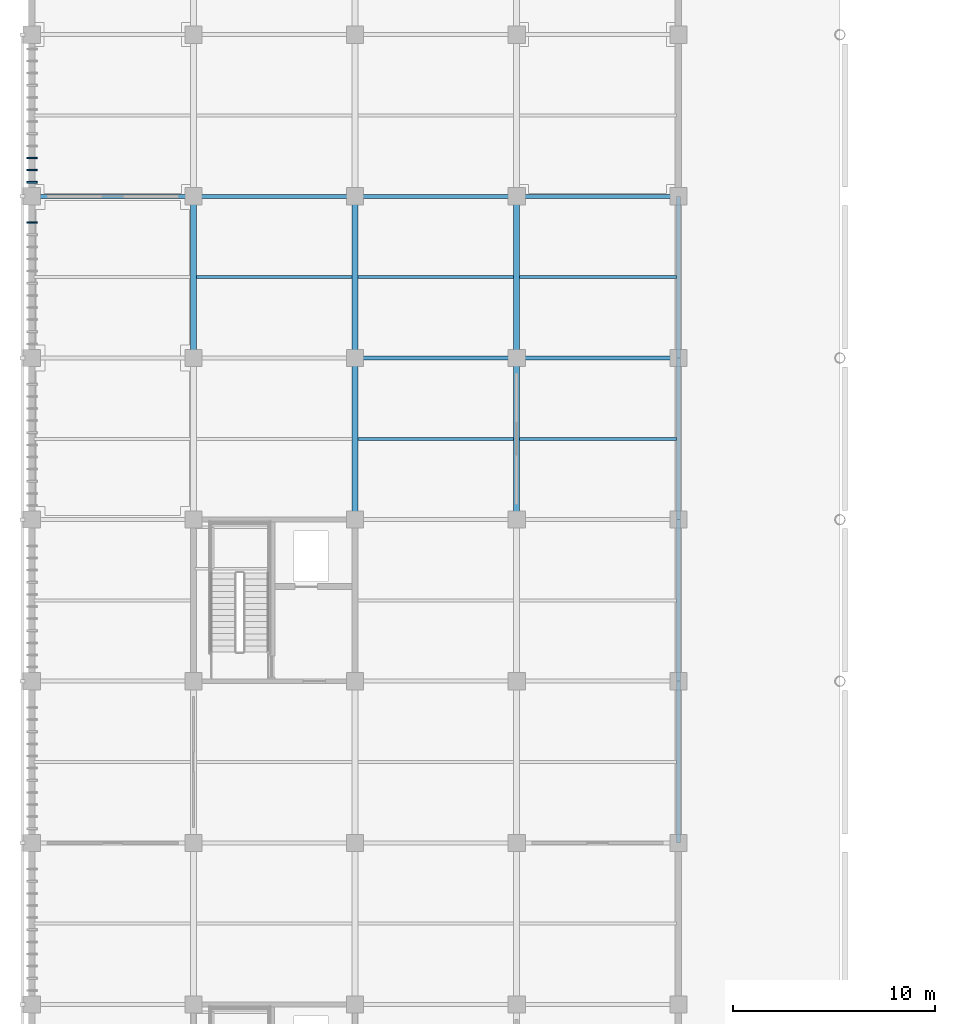
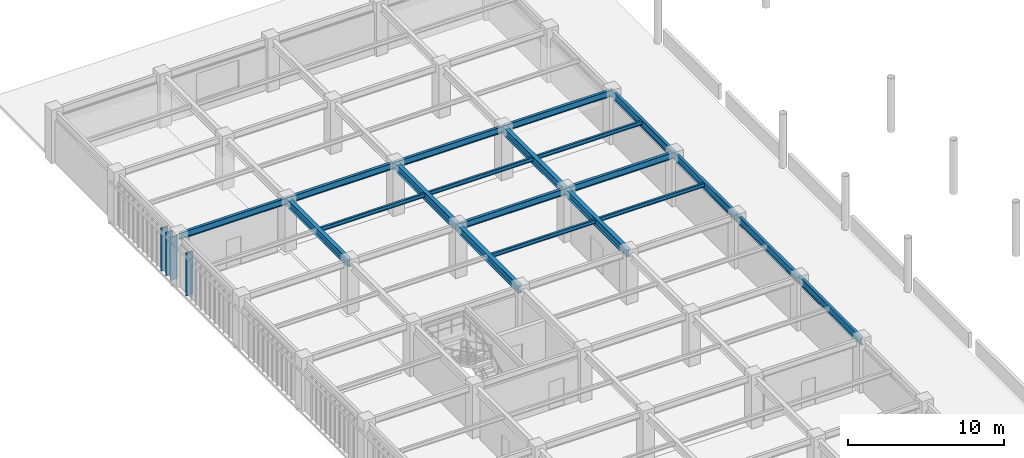
# One storey, part 28 of 78: 20 beams, 4 members.
"""IFC4 building model written with IfcOpenShell, lengths in metres."""

import ifcopenshell
import ifcopenshell.guid

model = None  # the IFC model being written
_history = None  # IfcOwnerHistory: only IFC2X3 demands one
_inside = {}  # id of a spatial element -> (the spatial element, [elements in it])
_under = {}  # id of a project, library or spatial element -> (it, [spatial elements below it])
_declared = {}  # id of a project -> (the project, [libraries it declares])
_typed = {}  # id of a type object -> (the type object, [elements of that type])
_made_of = {}  # id of a material, layer set ... -> (it, [elements and type objects made of it])


def new_model(schema):
    """Start an empty IFC model of exactly this schema.

    Asked for "IFC4X3", IfcOpenShell would pick the latest addendum, in which some entities
    have other attributes; the version numbers below select the first issue.
    IFC2X3 requires an IfcOwnerHistory on every rooted entity: one is made here for all.
    """
    global model, _history
    if schema == "IFC4X3":
        model = ifcopenshell.file(schema_version=(4, 3, 0, 0))
    else:
        model = ifcopenshell.file(schema=schema)
    _inside.clear()
    _under.clear()
    _declared.clear()
    _typed.clear()
    _made_of.clear()
    _history = None
    if model.schema == "IFC2X3":
        org = make("IfcOrganization", Name="unknown")
        user = make(
            "IfcPersonAndOrganization",
            ThePerson=make("IfcPerson", FamilyName="unknown"),
            TheOrganization=org,
        )
        app = make(
            "IfcApplication",
            ApplicationDeveloper=org,
            Version="unknown",
            ApplicationFullName="unknown",
            ApplicationIdentifier="unknown",
        )
        _history = make(
            "IfcOwnerHistory",
            OwningUser=user,
            OwningApplication=app,
            ChangeAction="ADDED",
            CreationDate=0,
        )
    return model


def make(cls, **values):
    """One entity of the class cls with the attributes given. An attribute that is None is left unset."""
    return model.create_entity(
        cls, **{name: value for name, value in values.items() if value is not None}
    )


def rooted(cls, **values):
    """An entity with a GlobalId (a new one), such as an element, a storey or a relation."""
    return make(cls, GlobalId=ifcopenshell.guid.new(), OwnerHistory=_history, **values)


def si_unit(unit_type, name, prefix=None):
    """IfcSIUnit, for example si_unit("LENGTHUNIT", "METRE", prefix="MILLI")."""
    return make("IfcSIUnit", UnitType=unit_type, Prefix=prefix, Name=name)


def assignment(units):
    """IfcUnitAssignment: the units of a project."""
    return None if units is None else make("IfcUnitAssignment", Units=units)


def point(xyz):
    """IfcCartesianPoint."""
    return None if xyz is None else make("IfcCartesianPoint", Coordinates=xyz)


def direction(xyz):
    """IfcDirection."""
    return None if xyz is None else make("IfcDirection", DirectionRatios=xyz)


def frame(location, z_axis=None, x_axis=None):
    """IfcAxis2Placement3D, a coordinate frame: its origin and axes. An axis left out is left unset."""
    return make(
        "IfcAxis2Placement3D",
        Location=point(location),
        Axis=direction(z_axis),
        RefDirection=direction(x_axis),
    )


def frame_2d(location, x_axis=None):
    """IfcAxis2Placement2D, a coordinate frame in the plane: its origin and x axis."""
    return make(
        "IfcAxis2Placement2D", Location=point(location), RefDirection=direction(x_axis)
    )


def origin():
    """The frame at (0, 0, 0) with its axes left unset."""
    return frame((0.0, 0.0, 0.0))


def origin_2d():
    """The frame at (0, 0) in the plane with its x axis left unset."""
    return frame_2d((0.0, 0.0))


def place(relative_to, where):
    """IfcLocalPlacement: puts the frame where relative to a parent placement (None: the world)."""
    return make(
        "IfcLocalPlacement", PlacementRelTo=relative_to, RelativePlacement=where
    )


def context(
    kind, dimensions, precision=None, world=None, true_north=None, identifier=None
):
    """IfcGeometricRepresentationContext, for example the 3D "Model" context."""
    return make(
        "IfcGeometricRepresentationContext",
        ContextIdentifier=identifier,
        ContextType=kind,
        CoordinateSpaceDimension=dimensions,
        Precision=precision,
        WorldCoordinateSystem=world,
        TrueNorth=true_north,
    )


def subcontext(parent, identifier, kind, view, scale=None):
    """IfcGeometricRepresentationSubContext, for example "Body" below "Model"."""
    return make(
        "IfcGeometricRepresentationSubContext",
        ContextIdentifier=identifier,
        ContextType=kind,
        ParentContext=parent,
        TargetScale=scale,
        TargetView=view,
    )


def project(units=None, contexts=None):
    """IfcProject with its units and contexts."""
    return rooted(
        "IfcProject",
        Name="project",
        RepresentationContexts=contexts,
        UnitsInContext=assignment(units),
    )


def spatial(cls, under=None, at=None, **own):
    """A site, building, storey or space (cls), placed at a placement, below another one or the project."""
    s = rooted(cls, ObjectPlacement=at, **own)
    if under is not None:
        _under.setdefault(under.id(), (under, []))[1].append(s)
    return s


def profile(cls, at=None, kind="AREA", **sizes):
    """A parametric profile (cls). Its sizes go by their IFC names, for example OverallWidth=200.0."""
    return make(cls, ProfileType=kind, Position=at, **sizes)


def rectangle(**sizes):
    """IfcRectangleProfileDef."""
    return profile("IfcRectangleProfileDef", **sizes)


def i_section(**sizes):
    """IfcIShapeProfileDef."""
    return profile("IfcIShapeProfileDef", **sizes)


def extrude(swept, where, along, depth):
    """IfcExtrudedAreaSolid: the profile swept, set in the frame where, extruded along a direction by depth."""
    return make(
        "IfcExtrudedAreaSolid",
        SweptArea=swept,
        Position=where,
        ExtrudedDirection=direction(along),
        Depth=depth,
    )


def shape(context_of_items, identifier, shape_type, items):
    """IfcShapeRepresentation: the items that make up one representation, for example the "Body"."""
    return make(
        "IfcShapeRepresentation",
        ContextOfItems=context_of_items,
        RepresentationIdentifier=identifier,
        RepresentationType=shape_type,
        Items=items,
    )


def material(Name=None, Category=None):
    """IfcMaterial."""
    return make("IfcMaterial", Name=Name, Category=Category)


def material_profile(
    of_material, cross_section, Name=None, Category=None, Priority=None
):
    """IfcMaterialProfile: a cross section and its material."""
    return make(
        "IfcMaterialProfile",
        Name=Name,
        Material=of_material,
        Profile=cross_section,
        Priority=Priority,
        Category=Category,
    )


def profile_set(profiles, Name=None, composite=None):
    """IfcMaterialProfileSet."""
    return make(
        "IfcMaterialProfileSet",
        Name=Name,
        MaterialProfiles=profiles,
        CompositeProfile=composite,
    )


def made_of(thing, what):
    """Note that an element or type object is made of a material, layer set ...; save() writes the relation."""
    if what is not None:
        _made_of.setdefault(what.id(), (what, []))[1].append(thing)
    return thing


def type_object(cls, material=None, **own):
    """A type object (cls), such as IfcWallType, which elements share."""
    return made_of(rooted(cls, **own), material)


def element(
    cls,
    number,
    at=None,
    inside=None,
    cuts=None,
    type_object=None,
    material=None,
    context=None,
    identifier="Body",
    shape_type=None,
    held_by="IfcProductDefinitionShape",
    body=None,
    shapes=None,
    **own,
):
    """One element of the class cls, such as IfcWall. Its Tag is "e" and its number.

    at: its placement. inside: the storey or other place that contains it. cuts: it is an
    opening in that element (IfcRelVoidsElement). A single representation is given by context,
    identifier, shape_type and body (its items); several are given by shapes. held_by: the class
    of the entity that holds the representations. save() writes the other relations.
    """
    e = rooted(cls, Tag="e%d" % number, ObjectPlacement=at, **own)
    if body is not None:
        shapes = [shape(context, identifier, shape_type, body)]
    if shapes is not None:
        e.Representation = make(held_by, Representations=shapes)
    if inside is not None:
        _inside.setdefault(inside.id(), (inside, []))[1].append(e)
    if cuts is not None:
        rooted(
            "IfcRelVoidsElement", RelatingBuildingElement=cuts, RelatedOpeningElement=e
        )
    if type_object is not None:
        _typed.setdefault(type_object.id(), (type_object, []))[1].append(e)
    return made_of(e, material)


def aggregate(whole, parts):
    """IfcRelAggregates: a whole, such as a stair, and the parts it consists of."""
    return rooted("IfcRelAggregates", RelatingObject=whole, RelatedObjects=parts)


def save(model, path):
    """Write the relations noted so far, then the file.

    IfcRelAggregates (storeys below a building ...), IfcRelContainedInSpatialStructure (elements
    in a storey), IfcRelDefinesByType, IfcRelAssociatesMaterial and IfcRelDeclares: one each for
    every whole, place, type object, material and project.
    """
    for whole, parts in _under.values():
        aggregate(whole, parts)
    for where, things in _inside.values():
        rooted(
            "IfcRelContainedInSpatialStructure",
            RelatedElements=things,
            RelatingStructure=where,
        )
    for kind, things in _typed.values():
        rooted("IfcRelDefinesByType", RelatedObjects=things, RelatingType=kind)
    for what, things in _made_of.values():
        rooted("IfcRelAssociatesMaterial", RelatedObjects=things, RelatingMaterial=what)
    for by, libraries in _declared.values():
        rooted("IfcRelDeclares", RelatingContext=by, RelatedDefinitions=libraries)
    model.write(path)


model = new_model("IFC4")

# Units and contexts
model_context = context("Model", 3, precision=1e-05, world=origin(), true_north=direction((0.0, 1.0)))
body_context = subcontext(model_context, "Body", "Model", "MODEL_VIEW")
ifc_project = project(units=[si_unit("LENGTHUNIT", "METRE"), si_unit("AREAUNIT", "SQUARE_METRE"), si_unit("VOLUMEUNIT", "CUBIC_METRE"), si_unit("PLANEANGLEUNIT", "RADIAN"), si_unit("MASSUNIT", "GRAM", prefix="KILO")], contexts=[model_context])

# Site, building, storey
site_placement = place(None, origin())
site = spatial("IfcSite", under=ifc_project, at=site_placement, CompositionType="ELEMENT")
building_placement = place(site_placement, origin())
building = spatial("IfcBuilding", under=site, at=building_placement, Name="Haebicheon Civic Stadium", CompositionType="ELEMENT")
storey_placement = place(building_placement, frame((0.0, 0.0, 18.60009765625)))
storey = spatial("IfcBuildingStorey", under=building, at=storey_placement, Name="L05", CompositionType="ELEMENT", Elevation=18.60009765625)

# Beams
ifc_material_1 = material(Name="Steel SM355 (S355)", Category="steel")
ifc_material_profile_1 = material_profile(ifc_material_1, i_section(OverallWidth=0.199951171875, OverallDepth=0.5, WebThickness=0.010009765625, FlangeThickness=0.01611328125, at=origin_2d()), Name="H-500x200x10x16")
ifc_profile_set_1 = profile_set([ifc_material_profile_1], Name="Steel SM355 (S355)")
beam_type_1 = type_object("IfcBeamType", Name="BM-ST-H500", PredefinedType="BEAM", material=ifc_profile_set_1)
for number, where, z_axis, x_axis, name in (
    (1, (24.0, 128.0, 3.699951171875), (1.0, 0.0, 0.0), (0.0, 1.0, 0.0), "L05 beam S/4-5"),
    (2, (32.0, 128.0, 3.699951171875), (1.0, 0.0, 0.0), (0.0, 1.0, 0.0), "L05 beam S/5-6"),
    (3, (40.0, 120.0, 3.699951171875), (1.0, 0.0, 0.0), (0.0, 1.0, 0.0), "L05 beam R/6-7"),
    (4, (40.0, 128.0, 3.699951171875), (1.0, 0.0, 0.0), (0.0, 1.0, 0.0), "L05 beam S/6-7"),
    (5, (48.0, 120.0, 3.72998046875), (1.0, 0.0, 0.0), (0.0, 1.0, 0.0), "L05 beam R/7-8"),
    (6, (48.0, 128.0, 3.72998046875), (1.0, 0.0, 0.0), (0.0, 1.0, 0.0), "L05 beam S/7-8"),
):
    element("IfcBeam", number, at=place(storey_placement, frame(where, z_axis=z_axis, x_axis=x_axis)), inside=storey, type_object=beam_type_1, material=ifc_profile_set_1, Name=name, PredefinedType="BEAM", context=body_context, shape_type="SweptSolid", body=[
        extrude(i_section(OverallWidth=0.199951171875, OverallDepth=0.5, WebThickness=0.010009765625, FlangeThickness=0.01611328125, at=origin_2d()), origin(), (0.0, 0.0, 1.0), 8.0),
    ])
ifc_material_2 = material(Name="Steel SM355 (S355)", Category="steel")
ifc_material_profile_2 = material_profile(ifc_material_2, i_section(OverallWidth=0.300048828125, OverallDepth=0.60009765625, WebThickness=0.011962890625, FlangeThickness=0.02001953125, at=origin_2d()), Name="H-600x300x12x20")
ifc_profile_set_2 = profile_set([ifc_material_profile_2], Name="Steel SM355 (S355)")
beam_type_2 = type_object("IfcBeamType", Name="BM-ST-H600A", PredefinedType="BEAM", material=ifc_profile_set_2)
for number, where, z_axis, x_axis, name in (
    (7, (32.0, 120.0, 3.64990234375), (0.0, 1.0, 0.0), (-1.0, 0.0, 0.0), "L05 girder 5/R-S"),
    (8, (40.0, 112.0, 3.64990234375), (0.0, 1.0, 0.0), (-1.0, 0.0, 0.0), "L05 girder 6/Q-R"),
    (9, (40.0, 120.0, 3.64990234375), (0.0, 1.0, 0.0), (-1.0, 0.0, 0.0), "L05 girder 6/R-S"),
    (10, (48.0, 112.0, 3.64990234375), (0.0, 1.0, 0.0), (-1.0, 0.0, 0.0), "L05 girder 7/Q-R"),
    (11, (48.0, 120.0, 3.64990234375), (0.0, 1.0, 0.0), (-1.0, 0.0, 0.0), "L05 girder 7/R-S"),
):
    element("IfcBeam", number, at=place(storey_placement, frame(where, z_axis=z_axis, x_axis=x_axis)), inside=storey, type_object=beam_type_2, material=ifc_profile_set_2, Name=name, PredefinedType="BEAM", context=body_context, shape_type="SweptSolid", body=[
        extrude(i_section(OverallWidth=0.300048828125, OverallDepth=0.60009765625, WebThickness=0.011962890625, FlangeThickness=0.02001953125, at=origin_2d()), origin(), (0.0, 0.0, 1.0), 8.0),
    ])
ifc_material_3 = material(Name="Steel SM355 (S355)", Category="steel")
ifc_material_profile_3 = material_profile(ifc_material_3, i_section(OverallWidth=0.14990234375, OverallDepth=0.300048828125, WebThickness=0.006591796875, FlangeThickness=0.009033203125, at=origin_2d()), Name="H-300x150x6.5x9")
ifc_profile_set_3 = profile_set([ifc_material_profile_3], Name="Steel SM355 (S355)")
beam_type_3 = type_object("IfcBeamType", Name="JST-ST-H300", PredefinedType="JOIST", material=ifc_profile_set_3)
for number, where, z_axis, x_axis, name in (
    (12, (32.14990234375, 124.0, 3.7998046875), (1.0, 0.0, 0.0), (0.0, 1.0, 0.0), "L05 secondary joist 04-15"),
    (13, (40.14990234375, 116.0, 3.7998046875), (1.0, 0.0, 0.0), (0.0, 1.0, 0.0), "L05 secondary joist 05-14"),
    (14, (40.14990234375, 124.0, 3.7998046875), (1.0, 0.0, 0.0), (0.0, 1.0, 0.0), "L05 secondary joist 05-15"),
):
    element("IfcBeam", number, at=place(storey_placement, frame(where, z_axis=z_axis, x_axis=x_axis)), inside=storey, type_object=beam_type_3, material=ifc_profile_set_3, Name=name, PredefinedType="JOIST", context=body_context, shape_type="SweptSolid", body=[
        extrude(i_section(OverallWidth=0.14990234375, OverallDepth=0.300048828125, WebThickness=0.006591796875, FlangeThickness=0.009033203125, at=origin_2d()), origin(), (0.0, 0.0, 1.0), 7.7001953125),
    ])
for number, where, z_axis, x_axis, name in (
    (15, (48.14990234375, 116.0, 3.829833984375), (1.0, 0.0, 0.0), (0.0, 1.0, 0.0), "L05 secondary joist 06-14"),
    (16, (48.14990234375, 124.0, 3.829833984375), (1.0, 0.0, 0.0), (0.0, 1.0, 0.0), "L05 secondary joist 06-15"),
):
    element("IfcBeam", number, at=place(storey_placement, frame(where, z_axis=z_axis, x_axis=x_axis)), inside=storey, type_object=beam_type_3, material=ifc_profile_set_3, Name=name, PredefinedType="JOIST", context=body_context, shape_type="SweptSolid", body=[
        extrude(i_section(OverallWidth=0.14990234375, OverallDepth=0.300048828125, WebThickness=0.006591796875, FlangeThickness=0.009033203125, at=origin_2d()), origin(), (0.0, 0.0, 1.0), 7.75),
    ])

# Members
ifc_material_4 = material(Name="Acetylated timber GL28h", Category="wood")
ifc_material_profile_4 = material_profile(ifc_material_4, rectangle(XDim=0.080078125, YDim=0.52001953125, at=origin_2d()), Name="TMB-LOUV-80x520")
ifc_profile_set_4 = profile_set([ifc_material_profile_4], Name="Acetylated timber GL28h")
member_type = type_object("IfcMemberType", Name="LVR-TIM-520x80", PredefinedType="PLATE", material=ifc_profile_set_4)
for number, where, z_axis, x_axis, name in (
    (17, (24.02001953125, 126.699951171875, -0.1201171875), (0.0, 0.0, 1.0), (0.0, 1.0, 0.0), "SCR-WEST L05 acetylated timber storm louvre fin 10.11"),
    (18, (24.02001953125, 128.699951171875, -0.1201171875), (0.0, 0.0, 1.0), (0.0, 1.0, 0.0), "SCR-WEST L05 acetylated timber storm louvre fin 11.1"),
    (19, (24.02001953125, 129.300048828125, -0.1201171875), (0.0, 0.0, 1.0), (0.0, 1.0, 0.0), "SCR-WEST L05 acetylated timber storm louvre fin 11.2"),
    (20, (24.02001953125, 129.89990234375, -0.1201171875), (0.0, 0.0, 1.0), (0.0, 1.0, 0.0), "SCR-WEST L05 acetylated timber storm louvre fin 11.3"),
):
    element("IfcMember", number, at=place(storey_placement, frame(where, z_axis=z_axis, x_axis=x_axis)), inside=storey, type_object=member_type, material=ifc_profile_set_4, Name=name, PredefinedType="PLATE", context=body_context, shape_type="SweptSolid", body=[
        extrude(rectangle(XDim=0.080078125, YDim=0.52001953125, at=origin_2d()), origin(), (0.0, 0.0, 1.0), 3.3701171875),
    ])

# Beams
ifc_material_5 = material(Name="Steel SM355 (S355)", Category="steel")
ifc_material_profile_5 = material_profile(ifc_material_5, i_section(OverallWidth=0.199951171875, OverallDepth=0.60009765625, WebThickness=0.010986328125, FlangeThickness=0.01708984375, at=origin_2d()), Name="H-600x200x11x17")
ifc_profile_set_5 = profile_set([ifc_material_profile_5], Name="Steel SM355 (S355)")
beam_type_4 = type_object("IfcBeamType", Name="SPD-ST-H600B", PredefinedType="SPANDREL", material=ifc_profile_set_5)
for number, where, z_axis, x_axis, name in (
    (21, (56.0, 96.0, 3.679931640625), (0.0, 1.0, 0.0), (-1.0, 0.0, 0.0), "L05 girder 8/N-P"),
    (22, (56.0, 104.0, 3.679931640625), (0.0, 1.0, 0.0), (-1.0, 0.0, 0.0), "L05 girder 8/P-Q"),
    (23, (56.0, 112.0, 3.679931640625), (0.0, 1.0, 0.0), (-1.0, 0.0, 0.0), "L05 girder 8/Q-R"),
    (24, (56.0, 120.0, 3.679931640625), (0.0, 1.0, 0.0), (-1.0, 0.0, 0.0), "L05 girder 8/R-S"),
):
    element("IfcBeam", number, at=place(storey_placement, frame(where, z_axis=z_axis, x_axis=x_axis)), inside=storey, type_object=beam_type_4, material=ifc_profile_set_5, Name=name, PredefinedType="SPANDREL", context=body_context, shape_type="SweptSolid", body=[
        extrude(i_section(OverallWidth=0.199951171875, OverallDepth=0.60009765625, WebThickness=0.010986328125, FlangeThickness=0.01708984375, at=origin_2d()), origin(), (0.0, 0.0, 1.0), 8.0),
    ])

save(model, "model.ifc")
